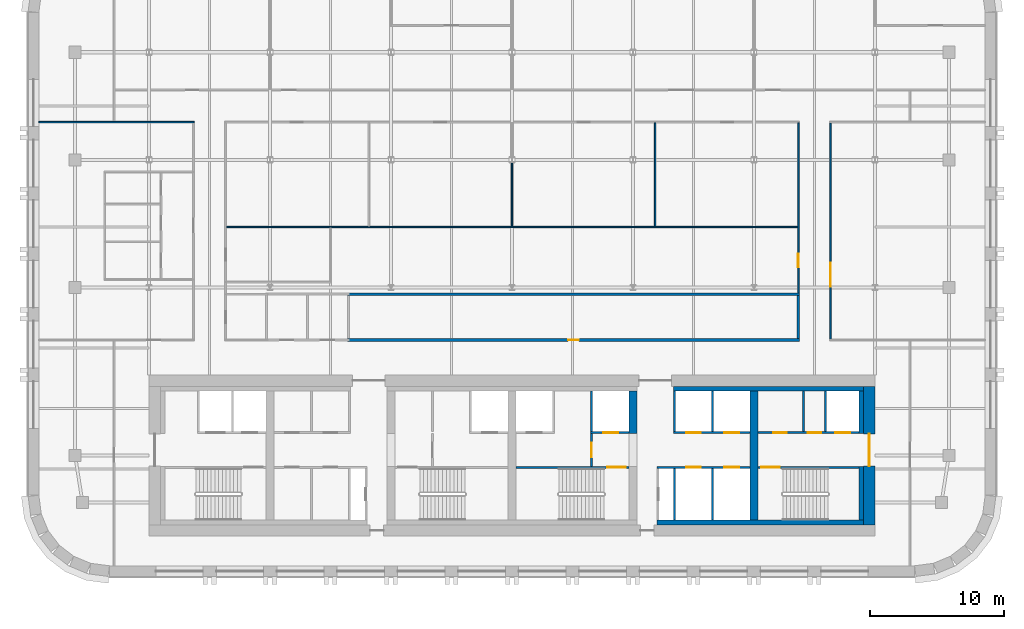
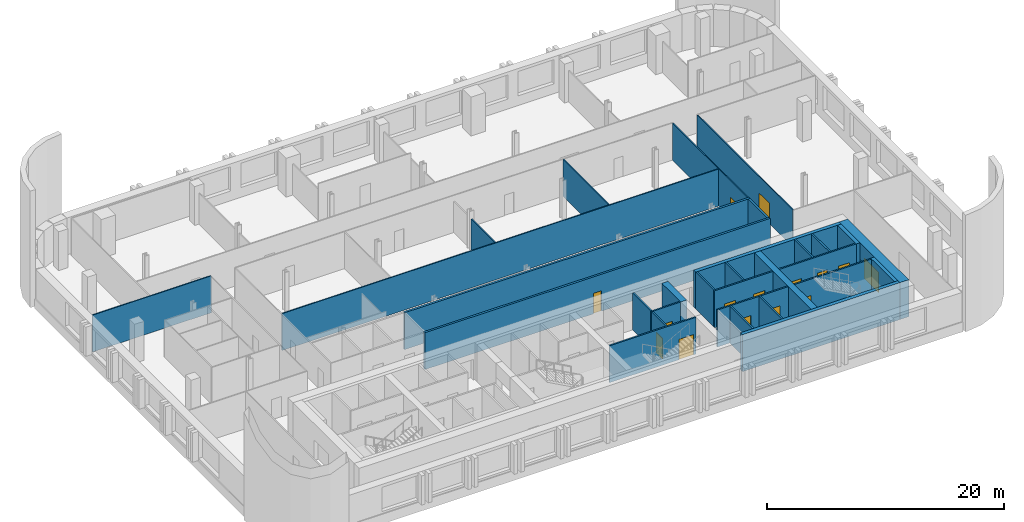
# One storey, part 5 of 9: 30 walls, 15 doors, 15 openings.
"""IFC4 building model written with IfcOpenShell, lengths in metres."""

import ifcopenshell
import ifcopenshell.guid

model = None  # the IFC model being written
_history = None  # IfcOwnerHistory: only IFC2X3 demands one
_inside = {}  # id of a spatial element -> (the spatial element, [elements in it])
_under = {}  # id of a project, library or spatial element -> (it, [spatial elements below it])
_declared = {}  # id of a project -> (the project, [libraries it declares])
_typed = {}  # id of a type object -> (the type object, [elements of that type])
_made_of = {}  # id of a material, layer set ... -> (it, [elements and type objects made of it])


def new_model(schema):
    """Start an empty IFC model of exactly this schema.

    Asked for "IFC4X3", IfcOpenShell would pick the latest addendum, in which some entities
    have other attributes; the version numbers below select the first issue.
    IFC2X3 requires an IfcOwnerHistory on every rooted entity: one is made here for all.
    """
    global model, _history
    if schema == "IFC4X3":
        model = ifcopenshell.file(schema_version=(4, 3, 0, 0))
    else:
        model = ifcopenshell.file(schema=schema)
    _inside.clear()
    _under.clear()
    _declared.clear()
    _typed.clear()
    _made_of.clear()
    _history = None
    if model.schema == "IFC2X3":
        org = make("IfcOrganization", Name="unknown")
        user = make(
            "IfcPersonAndOrganization",
            ThePerson=make("IfcPerson", FamilyName="unknown"),
            TheOrganization=org,
        )
        app = make(
            "IfcApplication",
            ApplicationDeveloper=org,
            Version="unknown",
            ApplicationFullName="unknown",
            ApplicationIdentifier="unknown",
        )
        _history = make(
            "IfcOwnerHistory",
            OwningUser=user,
            OwningApplication=app,
            ChangeAction="ADDED",
            CreationDate=0,
        )
    return model


def make(cls, **values):
    """One entity of the class cls with the attributes given. An attribute that is None is left unset."""
    return model.create_entity(
        cls, **{name: value for name, value in values.items() if value is not None}
    )


def rooted(cls, **values):
    """An entity with a GlobalId (a new one), such as an element, a storey or a relation."""
    return make(cls, GlobalId=ifcopenshell.guid.new(), OwnerHistory=_history, **values)


def si_unit(unit_type, name, prefix=None):
    """IfcSIUnit, for example si_unit("LENGTHUNIT", "METRE", prefix="MILLI")."""
    return make("IfcSIUnit", UnitType=unit_type, Prefix=prefix, Name=name)


def assignment(units):
    """IfcUnitAssignment: the units of a project."""
    return None if units is None else make("IfcUnitAssignment", Units=units)


def point(xyz):
    """IfcCartesianPoint."""
    return None if xyz is None else make("IfcCartesianPoint", Coordinates=xyz)


def direction(xyz):
    """IfcDirection."""
    return None if xyz is None else make("IfcDirection", DirectionRatios=xyz)


def frame(location, z_axis=None, x_axis=None):
    """IfcAxis2Placement3D, a coordinate frame: its origin and axes. An axis left out is left unset."""
    return make(
        "IfcAxis2Placement3D",
        Location=point(location),
        Axis=direction(z_axis),
        RefDirection=direction(x_axis),
    )


def frame_2d(location, x_axis=None):
    """IfcAxis2Placement2D, a coordinate frame in the plane: its origin and x axis."""
    return make(
        "IfcAxis2Placement2D", Location=point(location), RefDirection=direction(x_axis)
    )


def origin():
    """The frame at (0, 0, 0) with its axes left unset."""
    return frame((0.0, 0.0, 0.0))


def place(relative_to, where):
    """IfcLocalPlacement: puts the frame where relative to a parent placement (None: the world)."""
    return make(
        "IfcLocalPlacement", PlacementRelTo=relative_to, RelativePlacement=where
    )


def context(
    kind, dimensions, precision=None, world=None, true_north=None, identifier=None
):
    """IfcGeometricRepresentationContext, for example the 3D "Model" context."""
    return make(
        "IfcGeometricRepresentationContext",
        ContextIdentifier=identifier,
        ContextType=kind,
        CoordinateSpaceDimension=dimensions,
        Precision=precision,
        WorldCoordinateSystem=world,
        TrueNorth=true_north,
    )


def subcontext(parent, identifier, kind, view, scale=None):
    """IfcGeometricRepresentationSubContext, for example "Body" below "Model"."""
    return make(
        "IfcGeometricRepresentationSubContext",
        ContextIdentifier=identifier,
        ContextType=kind,
        ParentContext=parent,
        TargetScale=scale,
        TargetView=view,
    )


def project(units=None, contexts=None):
    """IfcProject with its units and contexts."""
    return rooted(
        "IfcProject",
        Name="project",
        RepresentationContexts=contexts,
        UnitsInContext=assignment(units),
    )


def spatial(cls, under=None, at=None, **own):
    """A site, building, storey or space (cls), placed at a placement, below another one or the project."""
    s = rooted(cls, ObjectPlacement=at, **own)
    if under is not None:
        _under.setdefault(under.id(), (under, []))[1].append(s)
    return s


def profile(cls, at=None, kind="AREA", **sizes):
    """A parametric profile (cls). Its sizes go by their IFC names, for example OverallWidth=200.0."""
    return make(cls, ProfileType=kind, Position=at, **sizes)


def rectangle(**sizes):
    """IfcRectangleProfileDef."""
    return profile("IfcRectangleProfileDef", **sizes)


def extrude(swept, where, along, depth):
    """IfcExtrudedAreaSolid: the profile swept, set in the frame where, extruded along a direction by depth."""
    return make(
        "IfcExtrudedAreaSolid",
        SweptArea=swept,
        Position=where,
        ExtrudedDirection=direction(along),
        Depth=depth,
    )


def shape(context_of_items, identifier, shape_type, items):
    """IfcShapeRepresentation: the items that make up one representation, for example the "Body"."""
    return make(
        "IfcShapeRepresentation",
        ContextOfItems=context_of_items,
        RepresentationIdentifier=identifier,
        RepresentationType=shape_type,
        Items=items,
    )


def material(Name=None, Category=None):
    """IfcMaterial."""
    return make("IfcMaterial", Name=Name, Category=Category)


def layer(
    of_material, thickness, ventilated=None, Name=None, Category=None, Priority=None
):
    """IfcMaterialLayer: one layer of a wall or slab, of a material (None: an air gap)."""
    return make(
        "IfcMaterialLayer",
        Material=of_material,
        LayerThickness=thickness,
        IsVentilated=ventilated,
        Name=Name,
        Category=Category,
        Priority=Priority,
    )


def layer_set(layers, Name=None):
    """IfcMaterialLayerSet."""
    return make("IfcMaterialLayerSet", MaterialLayers=layers, LayerSetName=Name)


def made_of(thing, what):
    """Note that an element or type object is made of a material, layer set ...; save() writes the relation."""
    if what is not None:
        _made_of.setdefault(what.id(), (what, []))[1].append(thing)
    return thing


def type_object(cls, material=None, **own):
    """A type object (cls), such as IfcWallType, which elements share."""
    return made_of(rooted(cls, **own), material)


def element(
    cls,
    number,
    at=None,
    inside=None,
    cuts=None,
    type_object=None,
    material=None,
    context=None,
    identifier="Body",
    shape_type=None,
    held_by="IfcProductDefinitionShape",
    body=None,
    shapes=None,
    **own,
):
    """One element of the class cls, such as IfcWall. Its Tag is "e" and its number.

    at: its placement. inside: the storey or other place that contains it. cuts: it is an
    opening in that element (IfcRelVoidsElement). A single representation is given by context,
    identifier, shape_type and body (its items); several are given by shapes. held_by: the class
    of the entity that holds the representations. save() writes the other relations.
    """
    e = rooted(cls, Tag="e%d" % number, ObjectPlacement=at, **own)
    if body is not None:
        shapes = [shape(context, identifier, shape_type, body)]
    if shapes is not None:
        e.Representation = make(held_by, Representations=shapes)
    if inside is not None:
        _inside.setdefault(inside.id(), (inside, []))[1].append(e)
    if cuts is not None:
        rooted(
            "IfcRelVoidsElement", RelatingBuildingElement=cuts, RelatedOpeningElement=e
        )
    if type_object is not None:
        _typed.setdefault(type_object.id(), (type_object, []))[1].append(e)
    return made_of(e, material)


def fill(opening, filler):
    """IfcRelFillsElement: the door or window that sits in an opening."""
    return rooted(
        "IfcRelFillsElement",
        RelatingOpeningElement=opening,
        RelatedBuildingElement=filler,
    )


def aggregate(whole, parts):
    """IfcRelAggregates: a whole, such as a stair, and the parts it consists of."""
    return rooted("IfcRelAggregates", RelatingObject=whole, RelatedObjects=parts)


def save(model, path):
    """Write the relations noted so far, then the file.

    IfcRelAggregates (storeys below a building ...), IfcRelContainedInSpatialStructure (elements
    in a storey), IfcRelDefinesByType, IfcRelAssociatesMaterial and IfcRelDeclares: one each for
    every whole, place, type object, material and project.
    """
    for whole, parts in _under.values():
        aggregate(whole, parts)
    for where, things in _inside.values():
        rooted(
            "IfcRelContainedInSpatialStructure",
            RelatedElements=things,
            RelatingStructure=where,
        )
    for kind, things in _typed.values():
        rooted("IfcRelDefinesByType", RelatedObjects=things, RelatingType=kind)
    for what, things in _made_of.values():
        rooted("IfcRelAssociatesMaterial", RelatedObjects=things, RelatingMaterial=what)
    for by, libraries in _declared.values():
        rooted("IfcRelDeclares", RelatingContext=by, RelatedDefinitions=libraries)
    model.write(path)


model = new_model("IFC4")

# Units and contexts
model_context = context("Model", 3, precision=1e-05, world=origin(), true_north=direction((0.0, 1.0)))
body_context = subcontext(model_context, "Body", "Model", "MODEL_VIEW")
ifc_project = project(units=[si_unit("LENGTHUNIT", "METRE"), si_unit("AREAUNIT", "SQUARE_METRE"), si_unit("VOLUMEUNIT", "CUBIC_METRE"), si_unit("PLANEANGLEUNIT", "RADIAN"), si_unit("MASSUNIT", "GRAM", prefix="KILO")], contexts=[model_context])

# Site, building, storey
site_placement = place(None, origin())
site = spatial("IfcSite", under=ifc_project, at=site_placement, CompositionType="ELEMENT")
building_placement = place(site_placement, origin())
building = spatial("IfcBuilding", under=site, at=building_placement, Name="Zellij Exchange Tower", CompositionType="ELEMENT")
storey_placement = place(building_placement, frame((0.0, 0.0, 176.5)))
storey = spatial("IfcBuildingStorey", under=building, at=storey_placement, Name="L40", CompositionType="ELEMENT", Elevation=176.5)

# Walls
ifc_material_1 = material(Name="Concrete C60/75", Category="concrete")
ifc_layer_1 = layer(ifc_material_1, 0.60009765625)
ifc_layer_set_1 = layer_set([ifc_layer_1], Name="Concrete C60/75")
wall_type_1 = type_object("IfcWallType", Name="CORE-CW 600 C60/75", PredefinedType="SHEAR", material=ifc_layer_set_1)
wall_1_placement = place(storey_placement, frame((9.0, -6.375, 0.0), z_axis=(0.0, 0.0, 1.0), x_axis=(0.0, 1.0, 0.0)))
element("IfcWall", 1, at=wall_1_placement, inside=storey, type_object=wall_type_1, Name="Core cross wall pier x 9 b L40", PredefinedType="SHEAR", context=body_context, shape_type="SweptSolid", body=[
    extrude(rectangle(XDim=3.175048828125, YDim=0.60009765625, at=frame_2d((1.58740234375, 0.0))), origin(), (0.0, 0.0, 1.0), 3.800048828125),
])
wall_2_placement = place(storey_placement, frame((18.0, -12.800048828125, 0.0), z_axis=(0.0, 0.0, 1.0), x_axis=(0.0, 1.0, 0.0)))
element("IfcWall", 2, at=wall_2_placement, inside=storey, type_object=wall_type_1, Name="Core cross wall x 18 L40", PredefinedType="SHEAR", context=body_context, shape_type="SweptSolid", body=[
    extrude(rectangle(XDim=9.60009765625, YDim=0.60009765625, at=frame_2d((4.800048828125, 0.0))), origin(), (0.0, 0.0, 1.0), 3.800048828125),
])
ifc_material_2 = material(Name="Concrete C30/37", Category="concrete")
ifc_layer_2 = layer(ifc_material_2, 0.35009765625)
ifc_layer_set_2 = layer_set([ifc_layer_2], Name="Concrete C30/37")
wall_type_2 = type_object("IfcWallType", Name="CORE-LW 350 C30/37", PredefinedType="SHEAR", material=ifc_layer_set_2)
wall_3_placement = place(storey_placement, frame((12.0, -3.02490234375, 0.0), z_axis=(0.0, 0.0, 1.0), x_axis=(1.0, 0.0, 0.0)))
element("IfcWall", 3, at=wall_3_placement, inside=storey, type_object=wall_type_2, Name="Core wall lining front.2 L40", PredefinedType="SHEAR", context=body_context, shape_type="SweptSolid", body=[
    extrude(rectangle(XDim=14.14990234375, YDim=0.35009765625, at=frame_2d((7.074951171875, 0.0))), origin(), (0.0, 0.0, 1.0), 3.800048828125),
])
wall_4_placement = place(storey_placement, frame((10.800048828125, -12.97509765625, 0.0), z_axis=(0.0, 0.0, 1.0), x_axis=(1.0, 0.0, 0.0)))
element("IfcWall", 4, at=wall_4_placement, inside=storey, type_object=wall_type_2, Name="Core wall lining rear.2 L40", PredefinedType="SHEAR", context=body_context, shape_type="SweptSolid", body=[
    extrude(rectangle(XDim=15.349853515625, YDim=0.35009765625, at=frame_2d((7.6748046875, 0.0))), origin(), (0.0, 0.0, 1.0), 3.800048828125),
])
wall_5_placement = place(storey_placement, frame((25.97509765625, -12.800048828125, 0.0), z_axis=(0.0, 0.0, 1.0), x_axis=(0.0, 1.0, 0.0)))
element("IfcWall", 5, at=wall_5_placement, inside=storey, type_object=wall_type_2, Name="Core wall lining end e.0 L40", PredefinedType="SHEAR", context=body_context, shape_type="SweptSolid", body=[
    extrude(rectangle(XDim=4.0, YDim=0.35009765625, at=frame_2d((2.0, 0.0))), origin(), (0.0, 0.0, 1.0), 3.800048828125),
])
wall_6_placement = place(storey_placement, frame((25.97509765625, -6.375, 0.0), z_axis=(0.0, 0.0, 1.0), x_axis=(0.0, 1.0, 0.0)))
element("IfcWall", 6, at=wall_6_placement, inside=storey, type_object=wall_type_2, Name="Core wall lining end e.1 L40", PredefinedType="SHEAR", context=body_context, shape_type="SweptSolid", body=[
    extrude(rectangle(XDim=3.175048828125, YDim=0.35009765625, at=frame_2d((1.58740234375, 0.0))), origin(), (0.0, 0.0, 1.0), 3.800048828125),
])

# Wall, opening, door
ifc_material_3 = material(Name="Gypsum shaft wall system")
ifc_layer_3 = layer(ifc_material_3, 0.14990234375)
ifc_layer_set_3 = layer_set([ifc_layer_3], Name="Gypsum shaft wall system")
wall_type_3 = type_object("IfcWallType", Name="CORE-PW 150 Firefighting lobby wall", PredefinedType="PARTITIONING", material=ifc_layer_set_3)
wall_7_placement = place(storey_placement, frame((5.925048828125, -8.800048828125, 0.0), z_axis=(0.0, 0.0, 1.0), x_axis=(0.0, 1.0, 0.0)))
wall_7 = element("IfcWall", 7, at=wall_7_placement, inside=storey, type_object=wall_type_3, Name="Firefighting lobby wall L40", PredefinedType="PARTITIONING", context=body_context, shape_type="SweptSolid", body=[
    extrude(rectangle(XDim=2.425048828125, YDim=0.14990234375, at=frame_2d((1.21240234375, 0.0))), origin(), (0.0, 0.0, 1.0), 3.800048828125),
])
opening_1_placement = place(wall_7_placement, frame((0.662109375, 0.0, 0.0)))
opening_1 = element("IfcOpeningElement", 8, at=opening_1_placement, cuts=wall_7, Name="Opening CA-22.16", PredefinedType="OPENING", context=body_context, shape_type="SweptSolid", body=[
    extrude(rectangle(XDim=1.10009765625, YDim=2.10009765625, at=frame_2d((0.550048828125, 1.050048828125))), frame((0.0, 0.0869140625, 0.0), z_axis=(0.0, -1.0, 0.0), x_axis=(1.0, 0.0, 0.0)), (0.0, 0.0, 1.0), 0.173828125),
])
ifc_material_4 = material(Name="Hollow metal fire door")
door_type_1 = type_object("IfcDoorType", Name="CORE-D F Firefighting lobby door 1100x2100 1 HR", OperationType="NOTDEFINED", PredefinedType="DOOR", material=ifc_material_4)
door_1_placement = place(opening_1_placement, origin())
door_1 = element("IfcDoor", 9, at=door_1_placement, inside=storey, type_object=door_type_1, Name="Firefighting lobby door CA-22.16", OperationType="SINGLE_SWING_RIGHT", OverallHeight=2.10009765625, OverallWidth=1.10009765625, PredefinedType="DOOR", context=body_context, shape_type="SweptSolid", body=[
    extrude(rectangle(XDim=1.10009765625, YDim=2.10009765625, at=frame_2d((0.550048828125, 1.050048828125))), frame((0.0, 0.02490234375, 0.0), z_axis=(0.0, -1.0, 0.0), x_axis=(1.0, 0.0, 0.0)), (0.0, 0.0, 1.0), 0.050048828125),
])
fill(opening_1, door_1)

# Walls
ifc_material_5 = material(Name="Gypsum board partition")
ifc_layer_4 = layer(ifc_material_5, 0.14990234375)
ifc_layer_set_4 = layer_set([ifc_layer_4], Name="Gypsum board partition")
wall_type_4 = type_object("IfcWallType", Name="CORE-PW 150 Lift lobby wall", PredefinedType="PARTITIONING", material=ifc_layer_set_4)
wall_8_placement = place(storey_placement, frame((21.675048828125, -6.22509765625, 0.0), z_axis=(0.0, 0.0, 1.0), x_axis=(0.0, 1.0, 0.0)))
element("IfcWall", 10, at=wall_8_placement, inside=storey, type_object=wall_type_4, Name="Lift lobby wall L40", PredefinedType="PARTITIONING", context=body_context, shape_type="SweptSolid", body=[
    extrude(rectangle(XDim=3.025146484375, YDim=0.14990234375, at=frame_2d((1.5126953125, 0.0))), origin(), (0.0, 0.0, 1.0), 3.800048828125),
])
ifc_layer_5 = layer(ifc_material_3, 0.14990234375)
ifc_layer_set_5 = layer_set([ifc_layer_5], Name="Gypsum shaft wall system")
wall_type_5 = type_object("IfcWallType", Name="CORE-PW 150 Lift shaft wall", PredefinedType="PARTITIONING", material=ifc_layer_set_5)
for number, where, z_axis, x_axis, name in (
    (11, (5.925048828125, -6.22509765625, 0.0), (0.0, 0.0, 1.0), (0.0, 1.0, 0.0), "Lift shaft wall L40"),
    (12, (12.074951171875, -6.22509765625, 0.0), (0.0, 0.0, 1.0), (0.0, 1.0, 0.0), "Lift shaft wall L40"),
    (13, (14.925048828125, -6.22509765625, 0.0), (0.0, 0.0, 1.0), (0.0, 1.0, 0.0), "Lift shaft wall L40"),
    (14, (23.324951171875, -6.22509765625, 0.0), (0.0, 0.0, 1.0), (0.0, 1.0, 0.0), "Lift shaft wall L40"),
):
    element("IfcWall", number, at=place(storey_placement, frame(where, z_axis=z_axis, x_axis=x_axis)), inside=storey, type_object=wall_type_5, Name=name, PredefinedType="PARTITIONING", context=body_context, shape_type="SweptSolid", body=[
        extrude(rectangle(XDim=3.025146484375, YDim=0.14990234375, at=frame_2d((1.5126953125, 0.0))), origin(), (0.0, 0.0, 1.0), 3.800048828125),
    ])
for number, where, z_axis, x_axis, name in (
    (15, (12.074951171875, -12.800048828125, 0.0), (0.0, 0.0, 1.0), (0.0, 1.0, 0.0), "Lift shaft wall L40"),
    (16, (14.925048828125, -12.800048828125, 0.0), (0.0, 0.0, 1.0), (0.0, 1.0, 0.0), "Lift shaft wall L40"),
):
    element("IfcWall", number, at=place(storey_placement, frame(where, z_axis=z_axis, x_axis=x_axis)), inside=storey, type_object=wall_type_5, Name=name, PredefinedType="PARTITIONING", context=body_context, shape_type="SweptSolid", body=[
        extrude(rectangle(XDim=3.85009765625, YDim=0.14990234375, at=frame_2d((1.925048828125, 0.0))), origin(), (0.0, 0.0, 1.0), 3.800048828125),
    ])

# Wall, opening, door
wall_9_placement = place(storey_placement, frame((5.85009765625, -6.300048828125, 0.0), z_axis=(0.0, 0.0, 1.0), x_axis=(1.0, 0.0, 0.0)))
wall_9 = element("IfcWall", 17, at=wall_9_placement, inside=storey, type_object=wall_type_5, Name="Lift shaft wall L40", PredefinedType="PARTITIONING", context=body_context, shape_type="SweptSolid", body=[
    extrude(rectangle(XDim=2.849853515625, YDim=0.14990234375, at=frame_2d((1.4248046875, 0.0))), origin(), (0.0, 0.0, 1.0), 3.800048828125),
])
opening_2_placement = place(wall_9_placement, frame((0.949951171875, 0.0, 0.0)))
opening_2 = element("IfcOpeningElement", 18, at=opening_2_placement, cuts=wall_9, Name="Opening CA-22.17", PredefinedType="OPENING", context=body_context, shape_type="SweptSolid", body=[
    extrude(rectangle(XDim=1.10009765625, YDim=2.10009765625, at=frame_2d((0.550048828125, 1.050048828125))), frame((0.0, 0.0869140625, 0.0), z_axis=(0.0, -1.0, 0.0), x_axis=(1.0, 0.0, 0.0)), (0.0, 0.0, 1.0), 0.173828125),
])
door_type_2 = type_object("IfcDoorType", Name="CORE-D LD Lift landing door 1100x2100 1.5 HR", OperationType="NOTDEFINED", PredefinedType="DOOR", material=ifc_material_4)
door_2_placement = place(opening_2_placement, origin())
door_2 = element("IfcDoor", 19, at=door_2_placement, inside=storey, type_object=door_type_2, Name="Lift landing door CA-22.17", OperationType="SLIDING_TO_LEFT", OverallHeight=2.10009765625, OverallWidth=1.10009765625, PredefinedType="DOOR", context=body_context, shape_type="SweptSolid", body=[
    extrude(rectangle(XDim=1.10009765625, YDim=2.10009765625, at=frame_2d((0.550048828125, 1.050048828125))), frame((0.0, 0.02490234375, 0.0), z_axis=(0.0, -1.0, 0.0), x_axis=(1.0, 0.0, 0.0)), (0.0, 0.0, 1.0), 0.050048828125),
])
fill(opening_2, door_2)

# Wall, openings, doors
wall_10_placement = place(storey_placement, frame((12.0, -6.300048828125, 0.0), z_axis=(0.0, 0.0, 1.0), x_axis=(1.0, 0.0, 0.0)))
wall_10 = element("IfcWall", 20, at=wall_10_placement, inside=storey, type_object=wall_type_5, Name="Lift shaft wall L40", PredefinedType="PARTITIONING", context=body_context, shape_type="SweptSolid", body=[
    extrude(rectangle(XDim=5.699951171875, YDim=0.14990234375, at=frame_2d((2.85009765625, 0.0))), origin(), (0.0, 0.0, 1.0), 3.800048828125),
])
opening_3_placement = place(wall_10_placement, frame((0.949951171875, 0.0, 0.0)))
opening_3 = element("IfcOpeningElement", 21, at=opening_3_placement, cuts=wall_10, Name="Opening CA-22.23", PredefinedType="OPENING", context=body_context, shape_type="SweptSolid", body=[
    extrude(rectangle(XDim=1.10009765625, YDim=2.10009765625, at=frame_2d((0.550048828125, 1.050048828125))), frame((0.0, 0.0869140625, 0.0), z_axis=(0.0, -1.0, 0.0), x_axis=(1.0, 0.0, 0.0)), (0.0, 0.0, 1.0), 0.173828125),
])
opening_4_placement = place(wall_10_placement, frame((3.800048828125, 0.0, 0.0)))
opening_4 = element("IfcOpeningElement", 22, at=opening_4_placement, cuts=wall_10, Name="Opening CA-22.25", PredefinedType="OPENING", context=body_context, shape_type="SweptSolid", body=[
    extrude(rectangle(XDim=1.10009765625, YDim=2.10009765625, at=frame_2d((0.550048828125, 1.050048828125))), frame((0.0, 0.0869140625, 0.0), z_axis=(0.0, -1.0, 0.0), x_axis=(1.0, 0.0, 0.0)), (0.0, 0.0, 1.0), 0.173828125),
])
door_3_placement = place(opening_3_placement, origin())
door_3 = element("IfcDoor", 23, at=door_3_placement, inside=storey, type_object=door_type_2, Name="Lift landing door CA-22.23", OperationType="SLIDING_TO_LEFT", OverallHeight=2.10009765625, OverallWidth=1.10009765625, PredefinedType="DOOR", context=body_context, shape_type="SweptSolid", body=[
    extrude(rectangle(XDim=1.10009765625, YDim=2.10009765625, at=frame_2d((0.550048828125, 1.050048828125))), frame((0.0, 0.02490234375, 0.0), z_axis=(0.0, -1.0, 0.0), x_axis=(1.0, 0.0, 0.0)), (0.0, 0.0, 1.0), 0.050048828125),
])
fill(opening_3, door_3)
door_4_placement = place(opening_4_placement, origin())
door_4 = element("IfcDoor", 24, at=door_4_placement, inside=storey, type_object=door_type_2, Name="Lift landing door CA-22.25", OperationType="SLIDING_TO_LEFT", OverallHeight=2.10009765625, OverallWidth=1.10009765625, PredefinedType="DOOR", context=body_context, shape_type="SweptSolid", body=[
    extrude(rectangle(XDim=1.10009765625, YDim=2.10009765625, at=frame_2d((0.550048828125, 1.050048828125))), frame((0.0, 0.02490234375, 0.0), z_axis=(0.0, -1.0, 0.0), x_axis=(1.0, 0.0, 0.0)), (0.0, 0.0, 1.0), 0.050048828125),
])
fill(opening_4, door_4)

wall_11_placement = place(storey_placement, frame((18.300048828125, -6.300048828125, 0.0), z_axis=(0.0, 0.0, 1.0), x_axis=(1.0, 0.0, 0.0)))
wall_11 = element("IfcWall", 25, at=wall_11_placement, inside=storey, type_object=wall_type_5, Name="Lift shaft wall L40", PredefinedType="PARTITIONING", context=body_context, shape_type="SweptSolid", body=[
    extrude(rectangle(XDim=7.5, YDim=0.14990234375, at=frame_2d((3.75, 0.0))), origin(), (0.0, 0.0, 1.0), 3.800048828125),
])
opening_5_placement = place(wall_11_placement, frame((1.14990234375, 0.0, 0.0)))
opening_5 = element("IfcOpeningElement", 26, at=opening_5_placement, cuts=wall_11, Name="Opening CA-22.27", PredefinedType="OPENING", context=body_context, shape_type="SweptSolid", body=[
    extrude(rectangle(XDim=1.0, YDim=2.10009765625, at=frame_2d((0.5, 1.050048828125))), frame((0.0, 0.0869140625, 0.0), z_axis=(0.0, -1.0, 0.0), x_axis=(1.0, 0.0, 0.0)), (0.0, 0.0, 1.0), 0.173828125),
])
opening_6_placement = place(wall_11_placement, frame((3.699951171875, 0.0, 0.0)))
opening_6 = element("IfcOpeningElement", 27, at=opening_6_placement, cuts=wall_11, Name="Opening CA-22.28", PredefinedType="OPENING", context=body_context, shape_type="SweptSolid", body=[
    extrude(rectangle(XDim=1.0, YDim=2.10009765625, at=frame_2d((0.5, 1.050048828125))), frame((0.0, 0.0869140625, 0.0), z_axis=(0.0, -1.0, 0.0), x_axis=(1.0, 0.0, 0.0)), (0.0, 0.0, 1.0), 0.173828125),
])
opening_7_placement = place(wall_11_placement, frame((5.75, 0.0, 0.0)))
opening_7 = element("IfcOpeningElement", 28, at=opening_7_placement, cuts=wall_11, Name="Opening CA-22.29", PredefinedType="OPENING", context=body_context, shape_type="SweptSolid", body=[
    extrude(rectangle(XDim=1.10009765625, YDim=2.10009765625, at=frame_2d((0.550048828125, 1.050048828125))), frame((0.0, 0.0869140625, 0.0), z_axis=(0.0, -1.0, 0.0), x_axis=(1.0, 0.0, 0.0)), (0.0, 0.0, 1.0), 0.173828125),
])
door_type_3 = type_object("IfcDoorType", Name="CORE-D CD Core room door 1000x2100 1 HR", OperationType="NOTDEFINED", PredefinedType="DOOR", material=ifc_material_4)
door_5_placement = place(opening_5_placement, origin())
door_5 = element("IfcDoor", 29, at=door_5_placement, inside=storey, type_object=door_type_3, Name="Core room door CA-22.27", OperationType="SINGLE_SWING_LEFT", OverallHeight=2.10009765625, OverallWidth=1.0, PredefinedType="DOOR", context=body_context, shape_type="SweptSolid", body=[
    extrude(rectangle(XDim=1.0, YDim=2.10009765625, at=frame_2d((0.5, 1.050048828125))), frame((0.0, 0.02490234375, 0.0), z_axis=(0.0, -1.0, 0.0), x_axis=(1.0, 0.0, 0.0)), (0.0, 0.0, 1.0), 0.050048828125),
])
fill(opening_5, door_5)
door_6_placement = place(opening_6_placement, origin())
door_6 = element("IfcDoor", 30, at=door_6_placement, inside=storey, type_object=door_type_3, Name="Core room door CA-22.28", OperationType="SINGLE_SWING_RIGHT", OverallHeight=2.10009765625, OverallWidth=1.0, PredefinedType="DOOR", context=body_context, shape_type="SweptSolid", body=[
    extrude(rectangle(XDim=1.0, YDim=2.10009765625, at=frame_2d((0.5, 1.050048828125))), frame((0.0, 0.02490234375, 0.0), z_axis=(0.0, -1.0, 0.0), x_axis=(1.0, 0.0, 0.0)), (0.0, 0.0, 1.0), 0.050048828125),
])
fill(opening_6, door_6)
door_7_placement = place(opening_7_placement, origin())
door_7 = element("IfcDoor", 31, at=door_7_placement, inside=storey, type_object=door_type_2, Name="Lift landing door CA-22.29", OperationType="SLIDING_TO_LEFT", OverallHeight=2.10009765625, OverallWidth=1.10009765625, PredefinedType="DOOR", context=body_context, shape_type="SweptSolid", body=[
    extrude(rectangle(XDim=1.10009765625, YDim=2.10009765625, at=frame_2d((0.550048828125, 1.050048828125))), frame((0.0, 0.02490234375, 0.0), z_axis=(0.0, -1.0, 0.0), x_axis=(1.0, 0.0, 0.0)), (0.0, 0.0, 1.0), 0.050048828125),
])
fill(opening_7, door_7)

wall_12_placement = place(storey_placement, frame((10.800048828125, -8.875, 0.0), z_axis=(0.0, 0.0, 1.0), x_axis=(1.0, 0.0, 0.0)))
wall_12 = element("IfcWall", 32, at=wall_12_placement, inside=storey, type_object=wall_type_5, Name="Lift shaft wall L40", PredefinedType="PARTITIONING", context=body_context, shape_type="SweptSolid", body=[
    extrude(rectangle(XDim=6.89990234375, YDim=0.14990234375, at=frame_2d((3.449951171875, 0.0))), origin(), (0.0, 0.0, 1.0), 3.800048828125),
])
opening_8_placement = place(wall_12_placement, frame((2.14990234375, 0.0, 0.0)))
opening_8 = element("IfcOpeningElement", 33, at=opening_8_placement, cuts=wall_12, Name="Opening CA-22.22", PredefinedType="OPENING", context=body_context, shape_type="SweptSolid", body=[
    extrude(rectangle(XDim=1.10009765625, YDim=2.10009765625, at=frame_2d((0.550048828125, 1.050048828125))), frame((0.0, 0.0869140625, 0.0), z_axis=(0.0, -1.0, 0.0), x_axis=(1.0, 0.0, 0.0)), (0.0, 0.0, 1.0), 0.173828125),
])
opening_9_placement = place(wall_12_placement, frame((5.0, 0.0, 0.0)))
opening_9 = element("IfcOpeningElement", 34, at=opening_9_placement, cuts=wall_12, Name="Opening CA-22.24", PredefinedType="OPENING", context=body_context, shape_type="SweptSolid", body=[
    extrude(rectangle(XDim=1.10009765625, YDim=2.10009765625, at=frame_2d((0.550048828125, 1.050048828125))), frame((0.0, 0.0869140625, 0.0), z_axis=(0.0, -1.0, 0.0), x_axis=(1.0, 0.0, 0.0)), (0.0, 0.0, 1.0), 0.173828125),
])
door_8_placement = place(opening_8_placement, origin())
door_8 = element("IfcDoor", 35, at=door_8_placement, inside=storey, type_object=door_type_2, Name="Lift landing door CA-22.22", OperationType="SLIDING_TO_RIGHT", OverallHeight=2.10009765625, OverallWidth=1.10009765625, PredefinedType="DOOR", context=body_context, shape_type="SweptSolid", body=[
    extrude(rectangle(XDim=1.10009765625, YDim=2.10009765625, at=frame_2d((0.550048828125, 1.050048828125))), frame((0.0, 0.02490234375, 0.0), z_axis=(0.0, -1.0, 0.0), x_axis=(1.0, 0.0, 0.0)), (0.0, 0.0, 1.0), 0.050048828125),
])
fill(opening_8, door_8)
door_9_placement = place(opening_9_placement, origin())
door_9 = element("IfcDoor", 36, at=door_9_placement, inside=storey, type_object=door_type_2, Name="Lift landing door CA-22.24", OperationType="SLIDING_TO_RIGHT", OverallHeight=2.10009765625, OverallWidth=1.10009765625, PredefinedType="DOOR", context=body_context, shape_type="SweptSolid", body=[
    extrude(rectangle(XDim=1.10009765625, YDim=2.10009765625, at=frame_2d((0.550048828125, 1.050048828125))), frame((0.0, 0.02490234375, 0.0), z_axis=(0.0, -1.0, 0.0), x_axis=(1.0, 0.0, 0.0)), (0.0, 0.0, 1.0), 0.050048828125),
])
fill(opening_9, door_9)

# Wall, opening, door
ifc_layer_6 = layer(ifc_material_1, 0.85009765625)
ifc_layer_set_6 = layer_set([ifc_layer_6], Name="Concrete C60/75")
wall_type_6 = type_object("IfcWallType", Name="CORE-SW 850 C60/75", PredefinedType="SHEAR", material=ifc_layer_set_6)
wall_13_placement = place(storey_placement, frame((26.574951171875, -13.14990234375, 0.0), z_axis=(0.0, 0.0, 1.0), x_axis=(0.0, 1.0, 0.0)))
wall_13 = element("IfcWall", 37, at=wall_13_placement, inside=storey, type_object=wall_type_6, Name="Core shear wall end e L40", PredefinedType="SHEAR", context=body_context, shape_type="SweptSolid", body=[
    extrude(rectangle(XDim=10.2998046875, YDim=0.85009765625, at=frame_2d((5.14990234375, 0.0))), origin(), (0.0, 0.0, 1.0), 3.800048828125),
])
opening_10_placement = place(wall_13_placement, frame((4.362060546875, 0.0, 0.0)))
opening_10 = element("IfcOpeningElement", 38, at=opening_10_placement, cuts=wall_13, Name="Opening CA-22.30", PredefinedType="OPENING", context=body_context, shape_type="SweptSolid", body=[
    extrude(rectangle(XDim=2.39990234375, YDim=2.10009765625, at=frame_2d((1.199951171875, 1.050048828125))), frame((0.0, 0.43701171875, 0.0), z_axis=(0.0, -1.0, 0.0), x_axis=(1.0, 0.0, 0.0)), (0.0, 0.0, 1.0), 0.8740234375),
])
door_type_4 = type_object("IfcDoorType", Name="CORE-D CE Core entrance door 2400x2100 20 MIN", OperationType="NOTDEFINED", PredefinedType="DOOR", material=ifc_material_4)
door_10_placement = place(opening_10_placement, origin())
door_10 = element("IfcDoor", 39, at=door_10_placement, inside=storey, type_object=door_type_4, Name="Core entrance door CA-22.30", OperationType="DOUBLE_DOOR_SINGLE_SWING", OverallHeight=2.10009765625, OverallWidth=2.39990234375, PredefinedType="DOOR", context=body_context, shape_type="SweptSolid", body=[
    extrude(rectangle(XDim=2.39990234375, YDim=2.10009765625, at=frame_2d((1.199951171875, 1.050048828125))), frame((0.0, 0.02490234375, 0.0), z_axis=(0.0, -1.0, 0.0), x_axis=(1.0, 0.0, 0.0)), (0.0, 0.0, 1.0), 0.050048828125),
])
fill(opening_10, door_10)

ifc_layer_7 = layer(ifc_material_1, 0.14990234375)
ifc_layer_set_7 = layer_set([ifc_layer_7], Name="Concrete C60/75")
wall_type_7 = type_object("IfcWallType", Name="CORE-SWS 150 C60/75", PredefinedType="SHEAR", material=ifc_layer_set_7)
wall_14_placement = place(storey_placement, frame((0.300048828125, -8.875, 0.0), z_axis=(0.0, 0.0, 1.0), x_axis=(1.0, 0.0, 0.0)))
wall_14 = element("IfcWall", 40, at=wall_14_placement, inside=storey, type_object=wall_type_7, Name="Stair enclosure wall L40", PredefinedType="SHEAR", context=body_context, shape_type="SweptSolid", body=[
    extrude(rectangle(XDim=8.39990234375, YDim=0.14990234375, at=frame_2d((4.199951171875, 0.0))), origin(), (0.0, 0.0, 1.0), 3.800048828125),
])
opening_11_placement = place(wall_14_placement, frame((6.77490234375, 0.0, 0.0)))
opening_11 = element("IfcOpeningElement", 41, at=opening_11_placement, cuts=wall_14, Name="Opening CA-22.18", PredefinedType="OPENING", context=body_context, shape_type="SweptSolid", body=[
    extrude(rectangle(XDim=1.39990234375, YDim=2.10009765625, at=frame_2d((0.699951171875, 1.050048828125))), frame((0.0, 0.0869140625, 0.0), z_axis=(0.0, -1.0, 0.0), x_axis=(1.0, 0.0, 0.0)), (0.0, 0.0, 1.0), 0.173828125),
])
door_type_5 = type_object("IfcDoorType", Name="CORE-D SD Stair door 1400x2100 1.5 HR", OperationType="NOTDEFINED", PredefinedType="DOOR", material=ifc_material_4)
door_11_placement = place(opening_11_placement, origin())
door_11 = element("IfcDoor", 42, at=door_11_placement, inside=storey, type_object=door_type_5, Name="Stair door CA-22.18", OperationType="DOUBLE_DOOR_SINGLE_SWING", OverallHeight=2.10009765625, OverallWidth=1.39990234375, PredefinedType="DOOR", context=body_context, shape_type="SweptSolid", body=[
    extrude(rectangle(XDim=1.39990234375, YDim=2.10009765625, at=frame_2d((0.699951171875, 1.050048828125))), frame((0.0, 0.02490234375, 0.0), z_axis=(0.0, -1.0, 0.0), x_axis=(1.0, 0.0, 0.0)), (0.0, 0.0, 1.0), 0.050048828125),
])
fill(opening_11, door_11)

wall_15_placement = place(storey_placement, frame((18.300048828125, -8.875, 0.0), z_axis=(0.0, 0.0, 1.0), x_axis=(1.0, 0.0, 0.0)))
wall_15 = element("IfcWall", 43, at=wall_15_placement, inside=storey, type_object=wall_type_7, Name="Stair enclosure wall L40", PredefinedType="SHEAR", context=body_context, shape_type="SweptSolid", body=[
    extrude(rectangle(XDim=7.5, YDim=0.14990234375, at=frame_2d((3.75, 0.0))), origin(), (0.0, 0.0, 1.0), 3.800048828125),
])
opening_12_placement = place(wall_15_placement, frame((0.22509765625, 0.0, 0.0)))
opening_12 = element("IfcOpeningElement", 44, at=opening_12_placement, cuts=wall_15, Name="Opening CA-22.26", PredefinedType="OPENING", context=body_context, shape_type="SweptSolid", body=[
    extrude(rectangle(XDim=1.39990234375, YDim=2.10009765625, at=frame_2d((0.699951171875, 1.050048828125))), frame((0.0, 0.0869140625, 0.0), z_axis=(0.0, -1.0, 0.0), x_axis=(1.0, 0.0, 0.0)), (0.0, 0.0, 1.0), 0.173828125),
])
door_12_placement = place(opening_12_placement, origin())
door_12 = element("IfcDoor", 45, at=door_12_placement, inside=storey, type_object=door_type_5, Name="Stair door CA-22.26", OperationType="DOUBLE_DOOR_SINGLE_SWING", OverallHeight=2.10009765625, OverallWidth=1.39990234375, PredefinedType="DOOR", context=body_context, shape_type="SweptSolid", body=[
    extrude(rectangle(XDim=1.39990234375, YDim=2.10009765625, at=frame_2d((0.699951171875, 1.050048828125))), frame((0.0, 0.02490234375, 0.0), z_axis=(0.0, -1.0, 0.0), x_axis=(1.0, 0.0, 0.0)), (0.0, 0.0, 1.0), 0.050048828125),
])
fill(opening_12, door_12)

ifc_material_6 = material(Name="Blockwork partition", Category="masonry")
ifc_layer_8 = layer(ifc_material_6, 0.199951171875)
ifc_layer_set_8 = layer_set([ifc_layer_8], Name="Blockwork partition")
wall_type_8 = type_object("IfcWallType", Name="FIT-BLOCKWORK-200", PredefinedType="PARTITIONING", material=ifc_layer_set_8)
wall_16_placement = place(storey_placement, frame((-12.2451171875, 0.60009765625, 0.0), z_axis=(0.0, 0.0, 1.0), x_axis=(1.0, 0.0, 0.0)))
wall_16 = element("IfcWall", 46, at=wall_16_placement, inside=storey, type_object=wall_type_8, Name="FIT-BLOCKWORK-200 010", PredefinedType="PARTITIONING", context=body_context, shape_type="SweptSolid", body=[
    extrude(rectangle(XDim=33.64501953125, YDim=0.199951171875, at=frame_2d((16.822509765625, 0.0))), origin(), (0.0, 0.0, 1.0), 3.800048828125),
])
opening_13_placement = place(wall_16_placement, frame((16.424072265625, 0.0, 0.0)))
opening_13 = element("IfcOpeningElement", 47, at=opening_13_placement, cuts=wall_16, Name="Opening O3B.06", PredefinedType="OPENING", context=body_context, shape_type="SweptSolid", body=[
    extrude(rectangle(XDim=0.800048828125, YDim=2.10009765625, at=frame_2d((0.39990234375, 1.050048828125))), frame((0.0, 0.11181640625, 0.0), z_axis=(0.0, -1.0, 0.0), x_axis=(1.0, 0.0, 0.0)), (0.0, 0.0, 1.0), 0.223876953125),
])
ifc_material_7 = material(Name="Timber door set", Category="wood")
door_type_6 = type_object("IfcDoorType", Name="FIT-D6-SERVICE-800X2100", OperationType="SINGLE_SWING_LEFT", PredefinedType="DOOR", material=ifc_material_7)
door_13_placement = place(opening_13_placement, origin())
door_13 = element("IfcDoor", 48, at=door_13_placement, inside=storey, type_object=door_type_6, Name="Door O3B.06", OperationType="SINGLE_SWING_LEFT", OverallHeight=2.10009765625, OverallWidth=0.800048828125, PredefinedType="DOOR", context=body_context, shape_type="SweptSolid", body=[
    extrude(rectangle(XDim=0.800048828125, YDim=2.10009765625, at=frame_2d((0.39990234375, 1.050048828125))), frame((0.0, 0.02490234375, 0.0), z_axis=(0.0, -1.0, 0.0), x_axis=(1.0, 0.0, 0.0)), (0.0, 0.0, 1.0), 0.050048828125),
])
fill(opening_13, door_13)

# Walls
wall_17_placement = place(storey_placement, frame((21.300048828125, 0.699951171875, 0.0), z_axis=(0.0, 0.0, 1.0), x_axis=(0.0, 1.0, 0.0)))
element("IfcWall", 49, at=wall_17_placement, inside=storey, type_object=wall_type_8, Name="FIT-BLOCKWORK-200 012", PredefinedType="PARTITIONING", context=body_context, shape_type="SweptSolid", body=[
    extrude(rectangle(XDim=3.199951171875, YDim=0.199951171875, at=frame_2d((1.60009765625, 0.0))), origin(), (0.0, 0.0, 1.0), 3.800048828125),
])
wall_18_placement = place(storey_placement, frame((-12.2451171875, 4.0, 0.0), z_axis=(0.0, 0.0, 1.0), x_axis=(1.0, 0.0, 0.0)))
element("IfcWall", 50, at=wall_18_placement, inside=storey, type_object=wall_type_8, Name="FIT-BLOCKWORK-200 017", PredefinedType="PARTITIONING", context=body_context, shape_type="SweptSolid", body=[
    extrude(rectangle(XDim=33.64501953125, YDim=0.199951171875, at=frame_2d((16.822509765625, 0.0))), origin(), (0.0, 0.0, 1.0), 3.800048828125),
])

# Wall, opening, door
ifc_material_8 = material(Name="Gypsum board partition on steel studs", Category="steel")
ifc_layer_9 = layer(ifc_material_8, 0.10009765625)
ifc_layer_set_9 = layer_set([ifc_layer_9], Name="Gypsum board partition on steel studs")
wall_type_9 = type_object("IfcWallType", Name="FIT-PARTITION-100", PredefinedType="PARTITIONING", material=ifc_layer_set_9)
wall_19_placement = place(storey_placement, frame((23.699951171875, 0.64990234375, 0.0), z_axis=(0.0, 0.0, 1.0), x_axis=(0.0, 1.0, 0.0)))
wall_19 = element("IfcWall", 51, at=wall_19_placement, inside=storey, type_object=wall_type_9, Name="FIT-PARTITION-100 014", PredefinedType="PARTITIONING", context=body_context, shape_type="SweptSolid", body=[
    extrude(rectangle(XDim=16.10009765625, YDim=0.10009765625, at=frame_2d((8.050048828125, 0.0))), origin(), (0.0, 0.0, 1.0), 3.800048828125),
])
opening_14_placement = place(wall_19_placement, frame((3.89990234375, 0.0, 0.0)))
opening_14 = element("IfcOpeningElement", 52, at=opening_14_placement, cuts=wall_19, Name="Opening O3B.08", PredefinedType="OPENING", context=body_context, shape_type="SweptSolid", body=[
    extrude(rectangle(XDim=1.800048828125, YDim=2.10009765625, at=frame_2d((0.89990234375, 1.050048828125))), frame((0.0, 0.06201171875, 0.0), z_axis=(0.0, -1.0, 0.0), x_axis=(1.0, 0.0, 0.0)), (0.0, 0.0, 1.0), 0.1240234375),
])
door_type_7 = type_object("IfcDoorType", Name="FIT-D3-DOUBLE-1800X2100", OperationType="DOUBLE_DOOR_SINGLE_SWING", PredefinedType="DOOR", material=ifc_material_7)
door_14_placement = place(opening_14_placement, origin())
door_14 = element("IfcDoor", 53, at=door_14_placement, inside=storey, type_object=door_type_7, Name="Door O3B.08", OperationType="DOUBLE_DOOR_SINGLE_SWING", OverallHeight=2.10009765625, OverallWidth=1.800048828125, PredefinedType="DOOR", context=body_context, shape_type="SweptSolid", body=[
    extrude(rectangle(XDim=1.800048828125, YDim=2.10009765625, at=frame_2d((0.89990234375, 1.050048828125))), frame((0.0, 0.02490234375, 0.0), z_axis=(0.0, -1.0, 0.0), x_axis=(1.0, 0.0, 0.0)), (0.0, 0.0, 1.0), 0.050048828125),
])
fill(opening_14, door_14)

wall_20_placement = place(storey_placement, frame((21.300048828125, 4.10009765625, 0.0), z_axis=(0.0, 0.0, 1.0), x_axis=(0.0, 1.0, 0.0)))
wall_20 = element("IfcWall", 54, at=wall_20_placement, inside=storey, type_object=wall_type_9, Name="FIT-PARTITION-100 018", PredefinedType="PARTITIONING", context=body_context, shape_type="SweptSolid", body=[
    extrude(rectangle(XDim=12.64990234375, YDim=0.10009765625, at=frame_2d((6.324951171875, 0.0))), origin(), (0.0, 0.0, 1.0), 3.800048828125),
])
opening_15_placement = place(wall_20_placement, frame((1.89990234375, 0.0, 0.0)))
opening_15 = element("IfcOpeningElement", 55, at=opening_15_placement, cuts=wall_20, Name="Opening O3B.10", PredefinedType="OPENING", context=body_context, shape_type="SweptSolid", body=[
    extrude(rectangle(XDim=1.0, YDim=2.10009765625, at=frame_2d((0.5, 1.050048828125))), frame((0.0, 0.06201171875, 0.0), z_axis=(0.0, -1.0, 0.0), x_axis=(1.0, 0.0, 0.0)), (0.0, 0.0, 1.0), 0.1240234375),
])
door_type_8 = type_object("IfcDoorType", Name="FIT-D2-WIDE-1000X2100", OperationType="SINGLE_SWING_LEFT", PredefinedType="DOOR", material=ifc_material_7)
door_15_placement = place(opening_15_placement, origin())
door_15 = element("IfcDoor", 56, at=door_15_placement, inside=storey, type_object=door_type_8, Name="Door O3B.10", OperationType="SINGLE_SWING_RIGHT", OverallHeight=2.10009765625, OverallWidth=1.0, PredefinedType="DOOR", context=body_context, shape_type="SweptSolid", body=[
    extrude(rectangle(XDim=1.0, YDim=2.10009765625, at=frame_2d((0.5, 1.050048828125))), frame((0.0, 0.02490234375, 0.0), z_axis=(0.0, -1.0, 0.0), x_axis=(1.0, 0.0, 0.0)), (0.0, 0.0, 1.0), 0.050048828125),
])
fill(opening_15, door_15)

# Walls
wall_21_placement = place(storey_placement, frame((-21.25, 9.0, 0.0), z_axis=(0.0, 0.0, 1.0), x_axis=(1.0, 0.0, 0.0)))
element("IfcWall", 57, at=wall_21_placement, inside=storey, type_object=wall_type_9, Name="FIT-PARTITION-100 025", PredefinedType="PARTITIONING", context=body_context, shape_type="SweptSolid", body=[
    extrude(rectangle(XDim=42.5, YDim=0.10009765625, at=frame_2d((21.25, 0.0))), origin(), (0.0, 0.0, 1.0), 3.800048828125),
])
wall_22_placement = place(storey_placement, frame((0.0, 9.050048828125, 0.0), z_axis=(0.0, 0.0, 1.0), x_axis=(0.0, 1.0, 0.0)))
element("IfcWall", 58, at=wall_22_placement, inside=storey, type_object=wall_type_9, Name="FIT-PARTITION-100 027", PredefinedType="PARTITIONING", context=body_context, shape_type="SweptSolid", body=[
    extrude(rectangle(XDim=4.73779296875, YDim=0.10009765625, at=frame_2d((2.368896484375, 0.0))), origin(), (0.0, 0.0, 1.0), 3.19287109375),
])
wall_23_placement = place(storey_placement, frame((10.64990234375, 9.050048828125, 0.0), z_axis=(0.0, 0.0, 1.0), x_axis=(0.0, 1.0, 0.0)))
element("IfcWall", 59, at=wall_23_placement, inside=storey, type_object=wall_type_9, Name="FIT-PARTITION-100 029", PredefinedType="PARTITIONING", context=body_context, shape_type="SweptSolid", body=[
    extrude(rectangle(XDim=7.699951171875, YDim=0.10009765625, at=frame_2d((3.85009765625, 0.0))), origin(), (0.0, 0.0, 1.0), 3.800048828125),
])
wall_24_placement = place(storey_placement, frame((-35.199951171875, 16.800048828125, 0.0), z_axis=(0.0, 0.0, 1.0), x_axis=(1.0, 0.0, 0.0)))
element("IfcWall", 60, at=wall_24_placement, inside=storey, type_object=wall_type_9, Name="FIT-PARTITION-100 032", PredefinedType="PARTITIONING", context=body_context, shape_type="SweptSolid", body=[
    extrude(rectangle(XDim=11.550048828125, YDim=0.10009765625, at=frame_2d((5.77490234375, 0.0))), origin(), (0.0, 0.0, 1.0), 3.800048828125),
])

save(model, "model.ifc")
